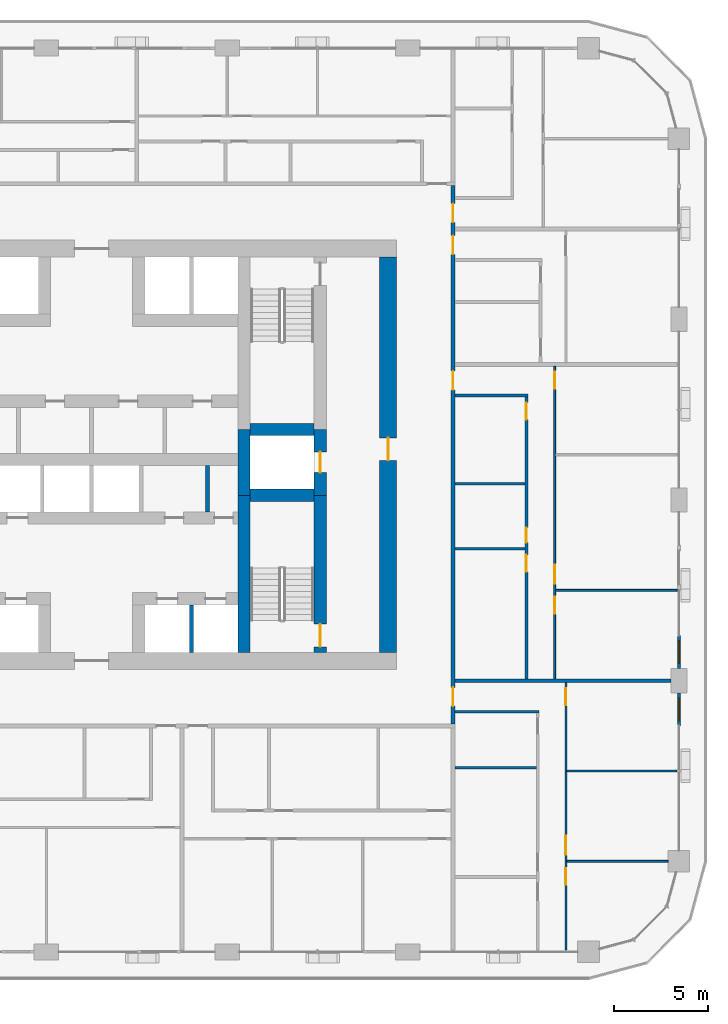
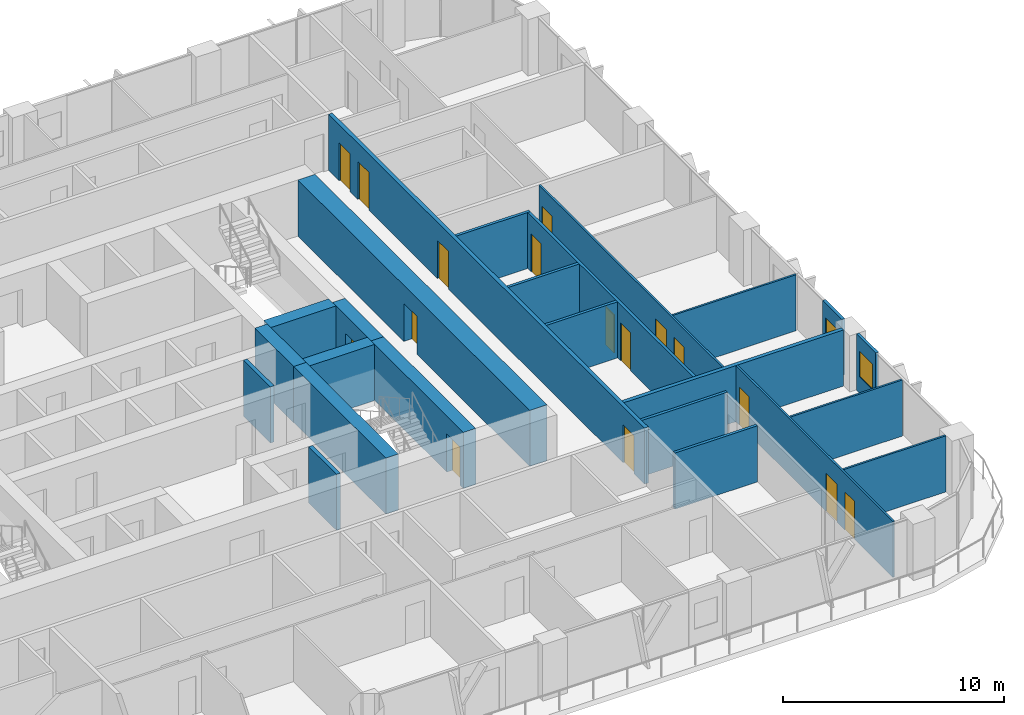
# One storey, part 12 of 21: 24 walls, 16 doors, 2 windows, 18 openings.
"""IFC4 building model written with IfcOpenShell, lengths in metres."""

from ifc_helpers import new_model, si_unit, direction, frame, frame_2d, origin, place, context, subcontext, project, spatial, rectangle, extrude, material, layer, layer_set, type_object, element, fill, save


model = new_model("IFC4")

# Units and contexts
model_context = context("Model", 3, precision=1e-05, world=origin(), true_north=direction((0.0, 1.0)))
body_context = subcontext(model_context, "Body", "Model", "MODEL_VIEW")
ifc_project = project(units=[si_unit("LENGTHUNIT", "METRE"), si_unit("AREAUNIT", "SQUARE_METRE"), si_unit("VOLUMEUNIT", "CUBIC_METRE"), si_unit("PLANEANGLEUNIT", "RADIAN"), si_unit("MASSUNIT", "GRAM", prefix="KILO")], contexts=[model_context])

# Site, building, storey
site_placement = place(None, origin())
site = spatial("IfcSite", under=ifc_project, at=site_placement, CompositionType="ELEMENT")
building_placement = place(site_placement, origin())
building = spatial("IfcBuilding", under=site, at=building_placement, Name="Madar Terraces", CompositionType="ELEMENT")
storey_placement = place(building_placement, frame((0.0, 0.0, 80.300048828125)))
storey = spatial("IfcBuildingStorey", under=building, at=storey_placement, Name="L20", CompositionType="ELEMENT", Elevation=80.300048828125)

# Walls
ifc_material_1 = material(Name="Concrete C80/95", Category="concrete")
ifc_layer_1 = layer(ifc_material_1, 0.64990234375)
ifc_layer_set_1 = layer_set([ifc_layer_1], Name="Concrete C80/95 (CIW2 RC wall 650)")
wall_type_1 = type_object("IfcWallType", Name="CIW2 RC wall 650", PredefinedType="SHEAR", material=ifc_layer_set_1)
wall_1_placement = place(storey_placement, frame((39.300048828125, 15.89990234375, 0.0), z_axis=(0.0, 0.0, 1.0), x_axis=(0.0, 1.0, 0.0)))
element("IfcWall", 1, at=wall_1_placement, inside=storey, type_object=wall_type_1, Name="CORE SHAFT WALL", PredefinedType="SHEAR", context=body_context, shape_type="SweptSolid", body=[
    extrude(rectangle(XDim=8.35009765625, YDim=0.64990234375, at=frame_2d((4.175048828125, 0.0))), origin(), (0.0, 0.0, 1.0), 3.099853515625),
])
wall_2_placement = place(storey_placement, frame((39.300048828125, 24.25, 0.0), z_axis=(0.0, 0.0, 1.0), x_axis=(0.0, 1.0, 0.0)))
element("IfcWall", 2, at=wall_2_placement, inside=storey, type_object=wall_type_1, Name="CORE SHAFT WALL", PredefinedType="SHEAR", context=body_context, shape_type="SweptSolid", body=[
    extrude(rectangle(XDim=3.5, YDim=0.64990234375, at=frame_2d((1.75, 0.0))), origin(), (0.0, 0.0, 1.0), 3.099853515625),
])

# Wall, opening, door
wall_3_placement = place(storey_placement, frame((43.35009765625, 15.89990234375, 0.0), z_axis=(0.0, 0.0, 1.0), x_axis=(0.0, 1.0, 0.0)))
wall_3 = element("IfcWall", 3, at=wall_3_placement, inside=storey, type_object=wall_type_1, Name="CORE SHAFT WALL", PredefinedType="SHEAR", context=body_context, shape_type="SweptSolid", body=[
    extrude(rectangle(XDim=8.35009765625, YDim=0.64990234375, at=frame_2d((4.175048828125, 0.0))), origin(), (0.0, 0.0, 1.0), 3.099853515625),
])
opening_1_placement = place(wall_3_placement, frame((0.300048828125, 0.0, 0.0)))
opening_1 = element("IfcOpeningElement", 4, at=opening_1_placement, cuts=wall_3, Name="Opening SD1", PredefinedType="OPENING", context=body_context, shape_type="SweptSolid", body=[
    extrude(rectangle(XDim=1.199951171875, YDim=2.10009765625, at=frame_2d((0.60009765625, 1.050048828125))), frame((0.0, 0.3349609375, 0.0), z_axis=(0.0, -1.0, 0.0), x_axis=(1.0, 0.0, 0.0)), (0.0, 0.0, 1.0), 0.669921875),
])
ifc_material_2 = material(Name="Steel door leaf", Category="steel")
door_type_1 = type_object("IfcDoorType", Name="Stair door 1200 x 2100", OperationType="NOTDEFINED", PredefinedType="DOOR", material=ifc_material_2)
door_1_placement = place(opening_1_placement, origin())
door_1 = element("IfcDoor", 5, at=door_1_placement, inside=storey, type_object=door_type_1, Name="STAIR DOOR", OperationType="SINGLE_SWING_LEFT", OverallHeight=2.10009765625, OverallWidth=1.199951171875, PredefinedType="DOOR", context=body_context, shape_type="SweptSolid", body=[
    extrude(rectangle(XDim=1.199951171875, YDim=2.10009765625, at=frame_2d((0.60009765625, 1.050048828125))), frame((0.0, 0.02490234375, 0.0), z_axis=(0.0, -1.0, 0.0), x_axis=(1.0, 0.0, 0.0)), (0.0, 0.0, 1.0), 0.050048828125),
])
fill(opening_1, door_1)

wall_4_placement = place(storey_placement, frame((43.35009765625, 24.25, 0.0), z_axis=(0.0, 0.0, 1.0), x_axis=(0.0, 1.0, 0.0)))
wall_4 = element("IfcWall", 6, at=wall_4_placement, inside=storey, type_object=wall_type_1, Name="CORE SHAFT WALL", PredefinedType="SHEAR", context=body_context, shape_type="SweptSolid", body=[
    extrude(rectangle(XDim=3.5, YDim=0.64990234375, at=frame_2d((1.75, 0.0))), origin(), (0.0, 0.0, 1.0), 3.099853515625),
])
opening_2_placement = place(wall_4_placement, frame((1.199951171875, 0.0, 0.0)))
opening_2 = element("IfcOpeningElement", 7, at=opening_2_placement, cuts=wall_4, Name="Opening LD", PredefinedType="OPENING", context=body_context, shape_type="SweptSolid", body=[
    extrude(rectangle(XDim=1.10009765625, YDim=2.10009765625, at=frame_2d((0.550048828125, 1.050048828125))), frame((0.0, 0.3349609375, 0.0), z_axis=(0.0, -1.0, 0.0), x_axis=(1.0, 0.0, 0.0)), (0.0, 0.0, 1.0), 0.669921875),
])
ifc_material_3 = material(Name="Stainless steel panel", Category="steel")
door_type_2 = type_object("IfcDoorType", Name="Lift landing door 1100 x 2100", OperationType="DOUBLE_DOOR_SLIDING", PredefinedType="DOOR", material=ifc_material_3)
door_2_placement = place(opening_2_placement, origin())
door_2 = element("IfcDoor", 8, at=door_2_placement, inside=storey, type_object=door_type_2, Name="LIFT LANDING DOOR", OperationType="DOUBLE_DOOR_SLIDING", OverallHeight=2.10009765625, OverallWidth=1.10009765625, PredefinedType="DOOR", context=body_context, shape_type="SweptSolid", body=[
    extrude(rectangle(XDim=1.10009765625, YDim=2.10009765625, at=frame_2d((0.550048828125, 1.050048828125))), frame((0.0, 0.02490234375, 0.0), z_axis=(0.0, -1.0, 0.0), x_axis=(1.0, 0.0, 0.0)), (0.0, 0.0, 1.0), 0.050048828125),
])
fill(opening_2, door_2)

# Walls
for number, where, z_axis, x_axis, name in (
    (9, (39.625, 24.25, 0.0), (0.0, 0.0, 1.0), (1.0, 0.0, 0.0), "CORE SHAFT WALL"),
    (10, (39.625, 27.75, 0.0), (0.0, 0.0, 1.0), (1.0, 0.0, 0.0), "CORE SHAFT WALL"),
):
    element("IfcWall", number, at=place(storey_placement, frame(where, z_axis=z_axis, x_axis=x_axis)), inside=storey, type_object=wall_type_1, Name=name, PredefinedType="SHEAR", context=body_context, shape_type="SweptSolid", body=[
        extrude(rectangle(XDim=3.39990234375, YDim=0.64990234375, at=frame_2d((1.699951171875, 0.0))), origin(), (0.0, 0.0, 1.0), 3.099853515625),
    ])

# Wall, opening, door
ifc_material_4 = material(Name="Concrete C80/95", Category="concrete")
ifc_layer_2 = layer(ifc_material_4, 0.89990234375)
ifc_layer_set_2 = layer_set([ifc_layer_2], Name="Concrete C80/95 (CRW2 RC wall 900)")
wall_type_2 = type_object("IfcWallType", Name="CRW2 RC wall 900", PredefinedType="SHEAR", material=ifc_layer_set_2)
wall_5_placement = place(storey_placement, frame((46.949951171875, 15.89990234375, 0.0), z_axis=(0.0, 0.0, 1.0), x_axis=(0.0, 1.0, 0.0)))
wall_5 = element("IfcWall", 11, at=wall_5_placement, inside=storey, type_object=wall_type_2, Name="CORE OUTER WALL", PredefinedType="SHEAR", context=body_context, shape_type="SweptSolid", body=[
    extrude(rectangle(XDim=21.0, YDim=0.89990234375, at=frame_2d((10.5, 0.0))), origin(), (0.0, 0.0, 1.0), 3.099853515625),
])
opening_3_placement = place(wall_5_placement, frame((10.199951171875, 0.0, 0.0)))
opening_3 = element("IfcOpeningElement", 12, at=opening_3_placement, cuts=wall_5, Name="Opening SD1", PredefinedType="OPENING", context=body_context, shape_type="SweptSolid", body=[
    extrude(rectangle(XDim=1.199951171875, YDim=2.10009765625, at=frame_2d((0.60009765625, 1.050048828125))), frame((0.0, 0.4599609375, 0.0), z_axis=(0.0, -1.0, 0.0), x_axis=(1.0, 0.0, 0.0)), (0.0, 0.0, 1.0), 0.919921875),
])
door_3_placement = place(opening_3_placement, origin())
door_3 = element("IfcDoor", 13, at=door_3_placement, inside=storey, type_object=door_type_1, Name="STAIR DOOR", OperationType="SINGLE_SWING_RIGHT", OverallHeight=2.10009765625, OverallWidth=1.199951171875, PredefinedType="DOOR", context=body_context, shape_type="SweptSolid", body=[
    extrude(rectangle(XDim=1.199951171875, YDim=2.10009765625, at=frame_2d((0.60009765625, 1.050048828125))), frame((0.0, 0.02490234375, 0.0), z_axis=(0.0, -1.0, 0.0), x_axis=(1.0, 0.0, 0.0)), (0.0, 0.0, 1.0), 0.050048828125),
])
fill(opening_3, door_3)

# Walls
ifc_material_5 = material(Name="Masonry blockwork", Category="masonry")
ifc_layer_3 = layer(ifc_material_5, 0.199951171875)
ifc_layer_set_3 = layer_set([ifc_layer_3], Name="Core partition 200 blockwork")
wall_type_3 = type_object("IfcWallType", Name="Core partition 200 blockwork", PredefinedType="PARTITIONING", material=ifc_layer_set_3)
wall_6_placement = place(storey_placement, frame((37.35888671875, 23.375, 0.0), z_axis=(0.0, 0.0, 1.0), x_axis=(0.0, 1.0, 0.0)))
element("IfcWall", 14, at=wall_6_placement, inside=storey, type_object=wall_type_3, Name="SERVICE ROOM PARTITION", PredefinedType="PARTITIONING", context=body_context, shape_type="SweptSolid", body=[
    extrude(rectangle(XDim=2.449951171875, YDim=0.199951171875, at=frame_2d((1.22509765625, 0.0))), origin(), (0.0, 0.0, 1.0), 3.099853515625),
])
ifc_material_6 = material(Name="Concrete C40/50", Category="concrete")
ifc_layer_4 = layer(ifc_material_6, 0.199951171875)
ifc_layer_set_4 = layer_set([ifc_layer_4], Name="Core shaft dividing wall 200 C40/50")
wall_type_4 = type_object("IfcWallType", Name="Core shaft dividing wall 200 C40/50", PredefinedType="SOLIDWALL", material=ifc_layer_set_4)
wall_7_placement = place(storey_placement, frame((36.5, 15.89990234375, 0.0), z_axis=(0.0, 0.0, 1.0), x_axis=(0.0, 1.0, 0.0)))
element("IfcWall", 15, at=wall_7_placement, inside=storey, type_object=wall_type_4, Name="SHAFT DIVIDING WALL", PredefinedType="SOLIDWALL", context=body_context, shape_type="SweptSolid", body=[
    extrude(rectangle(XDim=2.525146484375, YDim=0.199951171875, at=frame_2d((1.2626953125, 0.0))), origin(), (0.0, 0.0, 1.0), 3.099853515625),
])

# Wall, opening, window
ifc_material_7 = material(Name="Aluminium composite panel, black, over insulated backing", Category="aluminium")
ifc_layer_5 = layer(ifc_material_7, 0.14990234375)
ifc_layer_set_5 = layer_set([ifc_layer_5], Name="Facade bay panel 150")
wall_type_5 = type_object("IfcWallType", Name="Facade bay panel 150", PredefinedType="SOLIDWALL", material=ifc_layer_set_5)
wall_8_placement = place(storey_placement, frame((62.39990234375, 12.0, 0.0), z_axis=(0.0, 0.0, 1.0), x_axis=(0.0, 1.0, 0.0)))
wall_8 = element("IfcWall", 16, at=wall_8_placement, inside=storey, type_object=wall_type_5, Name="Facade bay panel", PredefinedType="SOLIDWALL", context=body_context, shape_type="SweptSolid", body=[
    extrude(rectangle(XDim=1.75, YDim=0.14990234375, at=frame_2d((0.875, 0.0))), origin(), (0.0, 0.0, 1.0), 3.099853515625),
])
opening_4_placement = place(wall_8_placement, frame((0.27490234375, 0.0, 0.89990234375)))
opening_4 = element("IfcOpeningElement", 17, at=opening_4_placement, cuts=wall_8, Name="Opening W1", PredefinedType="OPENING", context=body_context, shape_type="SweptSolid", body=[
    extrude(rectangle(XDim=1.199951171875, YDim=1.39990234375, at=frame_2d((0.60009765625, 0.699951171875))), frame((0.0, 0.0849609375, 0.0), z_axis=(0.0, -1.0, 0.0), x_axis=(1.0, 0.0, 0.0)), (0.0, 0.0, 1.0), 0.169921875),
])
ifc_material_8 = material(Name="Glass, clear, with black aluminium frame", Category="aluminium")
window_type = type_object("IfcWindowType", Name="Vent window 1200 x 1400", PartitioningType="SINGLE_PANEL", PredefinedType="WINDOW", material=ifc_material_8)
window_1_placement = place(opening_4_placement, origin())
window_1 = element("IfcWindow", 18, at=window_1_placement, inside=storey, type_object=window_type, Name="Operable vent window", OverallHeight=1.39990234375, OverallWidth=1.199951171875, PartitioningType="SINGLE_PANEL", PredefinedType="WINDOW", context=body_context, shape_type="SweptSolid", body=[
    extrude(rectangle(XDim=1.199951171875, YDim=1.39990234375, at=frame_2d((0.60009765625, 0.699951171875))), frame((0.0, 0.030029296875, 0.0), z_axis=(0.0, -1.0, 0.0), x_axis=(1.0, 0.0, 0.0)), (0.0, 0.0, 1.0), 0.06005859375),
])
fill(opening_4, window_1)

wall_9_placement = place(storey_placement, frame((62.39990234375, 15.050048828125, 0.0), z_axis=(0.0, 0.0, 1.0), x_axis=(0.0, 1.0, 0.0)))
wall_9 = element("IfcWall", 19, at=wall_9_placement, inside=storey, type_object=wall_type_5, Name="Facade bay panel", PredefinedType="SOLIDWALL", context=body_context, shape_type="SweptSolid", body=[
    extrude(rectangle(XDim=1.75, YDim=0.14990234375, at=frame_2d((0.875, 0.0))), origin(), (0.0, 0.0, 1.0), 3.099853515625),
])
opening_5_placement = place(wall_9_placement, frame((0.27490234375, 0.0, 0.89990234375)))
opening_5 = element("IfcOpeningElement", 20, at=opening_5_placement, cuts=wall_9, Name="Opening W1", PredefinedType="OPENING", context=body_context, shape_type="SweptSolid", body=[
    extrude(rectangle(XDim=1.199951171875, YDim=1.39990234375, at=frame_2d((0.60009765625, 0.699951171875))), frame((0.0, 0.0849609375, 0.0), z_axis=(0.0, -1.0, 0.0), x_axis=(1.0, 0.0, 0.0)), (0.0, 0.0, 1.0), 0.169921875),
])
window_2_placement = place(opening_5_placement, origin())
window_2 = element("IfcWindow", 21, at=window_2_placement, inside=storey, type_object=window_type, Name="Operable vent window", OverallHeight=1.39990234375, OverallWidth=1.199951171875, PartitioningType="SINGLE_PANEL", PredefinedType="WINDOW", context=body_context, shape_type="SweptSolid", body=[
    extrude(rectangle(XDim=1.199951171875, YDim=1.39990234375, at=frame_2d((0.60009765625, 0.699951171875))), frame((0.0, 0.030029296875, 0.0), z_axis=(0.0, -1.0, 0.0), x_axis=(1.0, 0.0, 0.0)), (0.0, 0.0, 1.0), 0.06005859375),
])
fill(opening_5, window_2)

# Walls
ifc_material_9 = material(Name="Gypsum board on steel studs", Category="steel")
ifc_layer_6 = layer(ifc_material_9, 0.10009765625)
ifc_layer_set_6 = layer_set([ifc_layer_6], Name="Flat partition 100")
wall_type_6 = type_object("IfcWallType", Name="Flat partition 100", PredefinedType="PARTITIONING", material=ifc_layer_set_6)
wall_10_placement = place(storey_placement, frame((56.449951171875, 9.60009765625, 0.0), z_axis=(0.0, 0.0, 1.0), x_axis=(1.0, 0.0, 0.0)))
element("IfcWall", 22, at=wall_10_placement, inside=storey, type_object=wall_type_6, Name="Flat partition 100", PredefinedType="PARTITIONING", context=body_context, shape_type="SweptSolid", body=[
    extrude(rectangle(XDim=5.85009765625, YDim=0.10009765625, at=frame_2d((2.925048828125, 0.0))), origin(), (0.0, 0.0, 1.0), 3.099853515625),
])
wall_11_placement = place(storey_placement, frame((56.449951171875, 4.800048828125, 0.0), z_axis=(0.0, 0.0, 1.0), x_axis=(1.0, 0.0, 0.0)))
element("IfcWall", 23, at=wall_11_placement, inside=storey, type_object=wall_type_6, Name="Flat partition 100", PredefinedType="PARTITIONING", context=body_context, shape_type="SweptSolid", body=[
    extrude(rectangle(XDim=5.375, YDim=0.10009765625, at=frame_2d((2.6875, 0.0))), origin(), (0.0, 0.0, 1.0), 3.099853515625),
])

# Wall, openings, doors
wall_12_placement = place(storey_placement, frame((56.39990234375, 14.300048828125, 0.0), z_axis=(0.0, 0.0, 1.0), x_axis=(0.0, -1.0, 0.0)))
wall_12 = element("IfcWall", 24, at=wall_12_placement, inside=storey, type_object=wall_type_6, Name="Flat partition 100", PredefinedType="PARTITIONING", context=body_context, shape_type="SweptSolid", body=[
    extrude(rectangle(XDim=14.199951171875, YDim=0.10009765625, at=frame_2d((7.10009765625, 0.0))), origin(), (0.0, 0.0, 1.0), 3.099853515625),
])
opening_6_placement = place(wall_12_placement, frame((0.300048828125, 0.0, 0.0)))
opening_6 = element("IfcOpeningElement", 25, at=opening_6_placement, cuts=wall_12, Name="Opening D2", PredefinedType="OPENING", context=body_context, shape_type="SweptSolid", body=[
    extrude(rectangle(XDim=0.89990234375, YDim=2.10009765625, at=frame_2d((0.449951171875, 1.050048828125))), frame((0.0, 0.06005859375, 0.0), z_axis=(0.0, -1.0, 0.0), x_axis=(1.0, 0.0, 0.0)), (0.0, 0.0, 1.0), 0.1201171875),
])
opening_7_placement = place(wall_12_placement, frame((8.14990234375, 0.0, 0.0)))
opening_7 = element("IfcOpeningElement", 26, at=opening_7_placement, cuts=wall_12, Name="Opening D3", PredefinedType="OPENING", context=body_context, shape_type="SweptSolid", body=[
    extrude(rectangle(XDim=1.0, YDim=2.10009765625, at=frame_2d((0.5, 1.050048828125))), frame((0.0, 0.06005859375, 0.0), z_axis=(0.0, -1.0, 0.0), x_axis=(1.0, 0.0, 0.0)), (0.0, 0.0, 1.0), 0.1201171875),
])
opening_8_placement = place(wall_12_placement, frame((9.85009765625, 0.0, 0.0)))
opening_8 = element("IfcOpeningElement", 27, at=opening_8_placement, cuts=wall_12, Name="Opening D2", PredefinedType="OPENING", context=body_context, shape_type="SweptSolid", body=[
    extrude(rectangle(XDim=0.89990234375, YDim=2.10009765625, at=frame_2d((0.449951171875, 1.050048828125))), frame((0.0, 0.06005859375, 0.0), z_axis=(0.0, -1.0, 0.0), x_axis=(1.0, 0.0, 0.0)), (0.0, 0.0, 1.0), 0.1201171875),
])
ifc_material_10 = material(Name="Timber door leaf", Category="wood")
door_type_3 = type_object("IfcDoorType", Name="Flat living room door 1000", OperationType="NOTDEFINED", PredefinedType="DOOR", material=ifc_material_10)
door_4_placement = place(opening_7_placement, origin())
door_4 = element("IfcDoor", 28, at=door_4_placement, inside=storey, type_object=door_type_3, Name="Flat living room door 1000", OperationType="SINGLE_SWING_RIGHT", OverallHeight=2.10009765625, OverallWidth=1.0, PredefinedType="DOOR", context=body_context, shape_type="SweptSolid", body=[
    extrude(rectangle(XDim=1.0, YDim=2.10009765625, at=frame_2d((0.5, 1.050048828125))), frame((0.0, 0.02490234375, 0.0), z_axis=(0.0, -1.0, 0.0), x_axis=(1.0, 0.0, 0.0)), (0.0, 0.0, 1.0), 0.050048828125),
])
fill(opening_7, door_4)
ifc_material_11 = material(Name="Timber door leaf", Category="wood")
door_type_4 = type_object("IfcDoorType", Name="Flat room door 900", OperationType="NOTDEFINED", PredefinedType="DOOR", material=ifc_material_11)
door_5_placement = place(opening_6_placement, origin())
door_5 = element("IfcDoor", 29, at=door_5_placement, inside=storey, type_object=door_type_4, Name="Flat room door 900", OperationType="SINGLE_SWING_LEFT", OverallHeight=2.10009765625, OverallWidth=0.89990234375, PredefinedType="DOOR", context=body_context, shape_type="SweptSolid", body=[
    extrude(rectangle(XDim=0.89990234375, YDim=2.10009765625, at=frame_2d((0.449951171875, 1.050048828125))), frame((0.0, 0.02490234375, 0.0), z_axis=(0.0, -1.0, 0.0), x_axis=(1.0, 0.0, 0.0)), (0.0, 0.0, 1.0), 0.050048828125),
])
fill(opening_6, door_5)
door_6_placement = place(opening_8_placement, origin())
door_6 = element("IfcDoor", 30, at=door_6_placement, inside=storey, type_object=door_type_4, Name="Flat room door 900", OperationType="SINGLE_SWING_LEFT", OverallHeight=2.10009765625, OverallWidth=0.89990234375, PredefinedType="DOOR", context=body_context, shape_type="SweptSolid", body=[
    extrude(rectangle(XDim=0.89990234375, YDim=2.10009765625, at=frame_2d((0.449951171875, 1.050048828125))), frame((0.0, 0.02490234375, 0.0), z_axis=(0.0, -1.0, 0.0), x_axis=(1.0, 0.0, 0.0)), (0.0, 0.0, 1.0), 0.050048828125),
])
fill(opening_8, door_6)

# Wall
wall_13_placement = place(storey_placement, frame((55.85009765625, 19.199951171875, 0.0), z_axis=(0.0, 0.0, 1.0), x_axis=(1.0, 0.0, 0.0)))
element("IfcWall", 31, at=wall_13_placement, inside=storey, type_object=wall_type_6, Name="Flat partition 100", PredefinedType="PARTITIONING", context=body_context, shape_type="SweptSolid", body=[
    extrude(rectangle(XDim=6.449951171875, YDim=0.10009765625, at=frame_2d((3.22509765625, 0.0))), origin(), (0.0, 0.0, 1.0), 3.099853515625),
])

# Wall, openings, doors
wall_14_placement = place(storey_placement, frame((55.800048828125, 31.10009765625, 0.0), z_axis=(0.0, 0.0, 1.0), x_axis=(0.0, -1.0, 0.0)))
wall_14 = element("IfcWall", 32, at=wall_14_placement, inside=storey, type_object=wall_type_6, Name="Flat partition 100", PredefinedType="PARTITIONING", context=body_context, shape_type="SweptSolid", body=[
    extrude(rectangle(XDim=16.60009765625, YDim=0.10009765625, at=frame_2d((8.300048828125, 0.0))), origin(), (0.0, 0.0, 1.0), 3.099853515625),
])
opening_9_placement = place(wall_14_placement, frame((0.300048828125, 0.0, 0.0)))
opening_9 = element("IfcOpeningElement", 33, at=opening_9_placement, cuts=wall_14, Name="Opening D2", PredefinedType="OPENING", context=body_context, shape_type="SweptSolid", body=[
    extrude(rectangle(XDim=0.89990234375, YDim=2.10009765625, at=frame_2d((0.449951171875, 1.050048828125))), frame((0.0, 0.06005859375, 0.0), z_axis=(0.0, -1.0, 0.0), x_axis=(1.0, 0.0, 0.0)), (0.0, 0.0, 1.0), 0.1201171875),
])
opening_10_placement = place(wall_14_placement, frame((10.550048828125, 0.0, 0.0)))
opening_10 = element("IfcOpeningElement", 34, at=opening_10_placement, cuts=wall_14, Name="Opening D3", PredefinedType="OPENING", context=body_context, shape_type="SweptSolid", body=[
    extrude(rectangle(XDim=1.0, YDim=2.10009765625, at=frame_2d((0.5, 1.050048828125))), frame((0.0, 0.06005859375, 0.0), z_axis=(0.0, -1.0, 0.0), x_axis=(1.0, 0.0, 0.0)), (0.0, 0.0, 1.0), 0.1201171875),
])
opening_11_placement = place(wall_14_placement, frame((12.25, 0.0, 0.0)))
opening_11 = element("IfcOpeningElement", 35, at=opening_11_placement, cuts=wall_14, Name="Opening D2", PredefinedType="OPENING", context=body_context, shape_type="SweptSolid", body=[
    extrude(rectangle(XDim=0.89990234375, YDim=2.10009765625, at=frame_2d((0.449951171875, 1.050048828125))), frame((0.0, 0.06005859375, 0.0), z_axis=(0.0, -1.0, 0.0), x_axis=(1.0, 0.0, 0.0)), (0.0, 0.0, 1.0), 0.1201171875),
])
door_7_placement = place(opening_10_placement, origin())
door_7 = element("IfcDoor", 36, at=door_7_placement, inside=storey, type_object=door_type_3, Name="Flat living room door 1000", OperationType="SINGLE_SWING_RIGHT", OverallHeight=2.10009765625, OverallWidth=1.0, PredefinedType="DOOR", context=body_context, shape_type="SweptSolid", body=[
    extrude(rectangle(XDim=1.0, YDim=2.10009765625, at=frame_2d((0.5, 1.050048828125))), frame((0.0, 0.02490234375, 0.0), z_axis=(0.0, -1.0, 0.0), x_axis=(1.0, 0.0, 0.0)), (0.0, 0.0, 1.0), 0.050048828125),
])
fill(opening_10, door_7)
door_8_placement = place(opening_9_placement, origin())
door_8 = element("IfcDoor", 37, at=door_8_placement, inside=storey, type_object=door_type_4, Name="Flat room door 900", OperationType="SINGLE_SWING_LEFT", OverallHeight=2.10009765625, OverallWidth=0.89990234375, PredefinedType="DOOR", context=body_context, shape_type="SweptSolid", body=[
    extrude(rectangle(XDim=0.89990234375, YDim=2.10009765625, at=frame_2d((0.449951171875, 1.050048828125))), frame((0.0, 0.02490234375, 0.0), z_axis=(0.0, -1.0, 0.0), x_axis=(1.0, 0.0, 0.0)), (0.0, 0.0, 1.0), 0.050048828125),
])
fill(opening_9, door_8)
door_9_placement = place(opening_11_placement, origin())
door_9 = element("IfcDoor", 38, at=door_9_placement, inside=storey, type_object=door_type_4, Name="Flat room door 900", OperationType="SINGLE_SWING_LEFT", OverallHeight=2.10009765625, OverallWidth=0.89990234375, PredefinedType="DOOR", context=body_context, shape_type="SweptSolid", body=[
    extrude(rectangle(XDim=0.89990234375, YDim=2.10009765625, at=frame_2d((0.449951171875, 1.050048828125))), frame((0.0, 0.02490234375, 0.0), z_axis=(0.0, -1.0, 0.0), x_axis=(1.0, 0.0, 0.0)), (0.0, 0.0, 1.0), 0.050048828125),
])
fill(opening_11, door_9)

ifc_material_12 = material(Name="Lightweight blockwork", Category="masonry")
ifc_layer_7 = layer(ifc_material_12, 0.199951171875)
ifc_layer_set_7 = layer_set([ifc_layer_7], Name="Flat party and entrance wall 200")
wall_type_7 = type_object("IfcWallType", Name="Flat party and entrance wall 200", PredefinedType="PARTITIONING", material=ifc_layer_set_7)
wall_15_placement = place(storey_placement, frame((50.39990234375, 40.699951171875, 0.0), z_axis=(0.0, 0.0, 1.0), x_axis=(0.0, -1.0, 0.0)))
wall_15 = element("IfcWall", 39, at=wall_15_placement, inside=storey, type_object=wall_type_7, Name="Flat party and entrance wall 200", PredefinedType="PARTITIONING", context=body_context, shape_type="SweptSolid", body=[
    extrude(rectangle(XDim=28.599853515625, YDim=0.199951171875, at=frame_2d((14.2998046875, 0.0))), origin(), (0.0, 0.0, 1.0), 3.099853515625),
])
opening_12_placement = place(wall_15_placement, frame((26.64990234375, 0.0, 0.0)))
opening_12 = element("IfcOpeningElement", 40, at=opening_12_placement, cuts=wall_15, Name="Opening D1", PredefinedType="OPENING", context=body_context, shape_type="SweptSolid", body=[
    extrude(rectangle(XDim=1.0, YDim=2.10009765625, at=frame_2d((0.5, 1.050048828125))), frame((0.0, 0.10986328125, 0.0), z_axis=(0.0, -1.0, 0.0), x_axis=(1.0, 0.0, 0.0)), (0.0, 0.0, 1.0), 0.219970703125),
])
opening_13_placement = place(wall_15_placement, frame((9.85009765625, 0.0, 0.0)))
opening_13 = element("IfcOpeningElement", 41, at=opening_13_placement, cuts=wall_15, Name="Opening D1", PredefinedType="OPENING", context=body_context, shape_type="SweptSolid", body=[
    extrude(rectangle(XDim=1.0, YDim=2.10009765625, at=frame_2d((0.5, 1.050048828125))), frame((0.0, 0.10986328125, 0.0), z_axis=(0.0, -1.0, 0.0), x_axis=(1.0, 0.0, 0.0)), (0.0, 0.0, 1.0), 0.219970703125),
])
opening_14_placement = place(wall_15_placement, frame((2.64990234375, 0.0, 0.0)))
opening_14 = element("IfcOpeningElement", 42, at=opening_14_placement, cuts=wall_15, Name="Opening D1", PredefinedType="OPENING", context=body_context, shape_type="SweptSolid", body=[
    extrude(rectangle(XDim=1.0, YDim=2.10009765625, at=frame_2d((0.5, 1.050048828125))), frame((0.0, 0.10986328125, 0.0), z_axis=(0.0, -1.0, 0.0), x_axis=(1.0, 0.0, 0.0)), (0.0, 0.0, 1.0), 0.219970703125),
])
opening_15_placement = place(wall_15_placement, frame((0.949951171875, 0.0, 0.0)))
opening_15 = element("IfcOpeningElement", 43, at=opening_15_placement, cuts=wall_15, Name="Opening D1", PredefinedType="OPENING", context=body_context, shape_type="SweptSolid", body=[
    extrude(rectangle(XDim=1.0, YDim=2.10009765625, at=frame_2d((0.5, 1.050048828125))), frame((0.0, 0.10986328125, 0.0), z_axis=(0.0, -1.0, 0.0), x_axis=(1.0, 0.0, 0.0)), (0.0, 0.0, 1.0), 0.219970703125),
])
ifc_material_13 = material(Name="Timber fire door leaf", Category="wood")
door_type_5 = type_object("IfcDoorType", Name="Flat entrance door 1000 FD30S", OperationType="NOTDEFINED", PredefinedType="DOOR", material=ifc_material_13)
door_10_placement = place(opening_12_placement, origin())
door_10 = element("IfcDoor", 44, at=door_10_placement, inside=storey, type_object=door_type_5, Name="Flat entrance door 1000 FD30S", OperationType="SINGLE_SWING_LEFT", OverallHeight=2.10009765625, OverallWidth=1.0, PredefinedType="DOOR", context=body_context, shape_type="SweptSolid", body=[
    extrude(rectangle(XDim=1.0, YDim=2.10009765625, at=frame_2d((0.5, 1.050048828125))), frame((0.0, 0.02490234375, 0.0), z_axis=(0.0, -1.0, 0.0), x_axis=(1.0, 0.0, 0.0)), (0.0, 0.0, 1.0), 0.050048828125),
])
fill(opening_12, door_10)
door_11_placement = place(opening_13_placement, origin())
door_11 = element("IfcDoor", 45, at=door_11_placement, inside=storey, type_object=door_type_5, Name="Flat entrance door 1000 FD30S", OperationType="SINGLE_SWING_LEFT", OverallHeight=2.10009765625, OverallWidth=1.0, PredefinedType="DOOR", context=body_context, shape_type="SweptSolid", body=[
    extrude(rectangle(XDim=1.0, YDim=2.10009765625, at=frame_2d((0.5, 1.050048828125))), frame((0.0, 0.02490234375, 0.0), z_axis=(0.0, -1.0, 0.0), x_axis=(1.0, 0.0, 0.0)), (0.0, 0.0, 1.0), 0.050048828125),
])
fill(opening_13, door_11)
door_12_placement = place(opening_14_placement, origin())
door_12 = element("IfcDoor", 46, at=door_12_placement, inside=storey, type_object=door_type_5, Name="Flat entrance door 1000 FD30S", OperationType="SINGLE_SWING_LEFT", OverallHeight=2.10009765625, OverallWidth=1.0, PredefinedType="DOOR", context=body_context, shape_type="SweptSolid", body=[
    extrude(rectangle(XDim=1.0, YDim=2.10009765625, at=frame_2d((0.5, 1.050048828125))), frame((0.0, 0.02490234375, 0.0), z_axis=(0.0, -1.0, 0.0), x_axis=(1.0, 0.0, 0.0)), (0.0, 0.0, 1.0), 0.050048828125),
])
fill(opening_14, door_12)
door_13_placement = place(opening_15_placement, origin())
door_13 = element("IfcDoor", 47, at=door_13_placement, inside=storey, type_object=door_type_5, Name="Flat entrance door 1000 FD30S", OperationType="SINGLE_SWING_RIGHT", OverallHeight=2.10009765625, OverallWidth=1.0, PredefinedType="DOOR", context=body_context, shape_type="SweptSolid", body=[
    extrude(rectangle(XDim=1.0, YDim=2.10009765625, at=frame_2d((0.5, 1.050048828125))), frame((0.0, 0.02490234375, 0.0), z_axis=(0.0, -1.0, 0.0), x_axis=(1.0, 0.0, 0.0)), (0.0, 0.0, 1.0), 0.050048828125),
])
fill(opening_15, door_13)

# Walls
wall_16_placement = place(storey_placement, frame((50.5, 14.39990234375, 0.0), z_axis=(0.0, 0.0, 1.0), x_axis=(1.0, 0.0, 0.0)))
element("IfcWall", 48, at=wall_16_placement, inside=storey, type_object=wall_type_7, Name="Flat party and entrance wall 200", PredefinedType="PARTITIONING", context=body_context, shape_type="SweptSolid", body=[
    extrude(rectangle(XDim=11.47509765625, YDim=0.199951171875, at=frame_2d((5.737548828125, 0.0))), origin(), (0.0, 0.0, 1.0), 3.099853515625),
])
ifc_material_14 = material(Name="Lightweight blockwork", Category="masonry")
ifc_layer_8 = layer(ifc_material_14, 0.14990234375)
ifc_layer_set_8 = layer_set([ifc_layer_8], Name="Flat wet-room partition 150")
wall_type_8 = type_object("IfcWallType", Name="Flat wet-room partition 150", PredefinedType="PARTITIONING", material=ifc_layer_set_8)
wall_17_placement = place(storey_placement, frame((50.5, 9.773193359375, 0.0), z_axis=(0.0, 0.0, 1.0), x_axis=(1.0, 0.0, 0.0)))
element("IfcWall", 49, at=wall_17_placement, inside=storey, type_object=wall_type_8, Name="Flat wet-room partition 150", PredefinedType="PARTITIONING", context=body_context, shape_type="SweptSolid", body=[
    extrude(rectangle(XDim=4.324951171875, YDim=0.14990234375, at=frame_2d((2.16259765625, 0.0))), origin(), (0.0, 0.0, 1.0), 3.099853515625),
])
wall_18_placement = place(storey_placement, frame((50.5, 12.75, 0.0), z_axis=(0.0, 0.0, 1.0), x_axis=(1.0, 0.0, 0.0)))
element("IfcWall", 50, at=wall_18_placement, inside=storey, type_object=wall_type_8, Name="Flat wet-room partition 150", PredefinedType="PARTITIONING", context=body_context, shape_type="SweptSolid", body=[
    extrude(rectangle(XDim=4.47509765625, YDim=0.14990234375, at=frame_2d((2.237548828125, 0.0))), origin(), (0.0, 0.0, 1.0), 3.099853515625),
])
for number, where, z_axis, x_axis, name in (
    (51, (50.5, 24.8671875, 0.0), (0.0, 0.0, 1.0), (1.0, 0.0, 0.0), "Flat wet-room partition 150"),
    (52, (50.5, 21.41162109375, 0.0), (0.0, 0.0, 1.0), (1.0, 0.0, 0.0), "Flat wet-room partition 150"),
):
    element("IfcWall", number, at=place(storey_placement, frame(where, z_axis=z_axis, x_axis=x_axis)), inside=storey, type_object=wall_type_8, Name=name, PredefinedType="PARTITIONING", context=body_context, shape_type="SweptSolid", body=[
        extrude(rectangle(XDim=3.72509765625, YDim=0.14990234375, at=frame_2d((1.862548828125, 0.0))), origin(), (0.0, 0.0, 1.0), 3.099853515625),
    ])
wall_19_placement = place(storey_placement, frame((50.5, 29.550048828125, 0.0), z_axis=(0.0, 0.0, 1.0), x_axis=(1.0, 0.0, 0.0)))
element("IfcWall", 53, at=wall_19_placement, inside=storey, type_object=wall_type_8, Name="Flat wet-room partition 150", PredefinedType="PARTITIONING", context=body_context, shape_type="SweptSolid", body=[
    extrude(rectangle(XDim=3.875, YDim=0.14990234375, at=frame_2d((1.9375, 0.0))), origin(), (0.0, 0.0, 1.0), 3.099853515625),
])

# Wall, openings, doors
wall_20_placement = place(storey_placement, frame((54.300048828125, 14.5, 0.0), z_axis=(0.0, 0.0, 1.0), x_axis=(0.0, 1.0, 0.0)))
wall_20 = element("IfcWall", 54, at=wall_20_placement, inside=storey, type_object=wall_type_8, Name="Flat wet-room partition 150", PredefinedType="PARTITIONING", context=body_context, shape_type="SweptSolid", body=[
    extrude(rectangle(XDim=14.97509765625, YDim=0.14990234375, at=frame_2d((7.487548828125, 0.0))), origin(), (0.0, 0.0, 1.0), 3.099853515625),
])
opening_16_placement = place(wall_20_placement, frame((13.77490234375, 0.0, 0.0)))
opening_16 = element("IfcOpeningElement", 55, at=opening_16_placement, cuts=wall_20, Name="Opening D5", PredefinedType="OPENING", context=body_context, shape_type="SweptSolid", body=[
    extrude(rectangle(XDim=0.89990234375, YDim=2.10009765625, at=frame_2d((0.449951171875, 1.050048828125))), frame((0.0, 0.0849609375, 0.0), z_axis=(0.0, -1.0, 0.0), x_axis=(1.0, 0.0, 0.0)), (0.0, 0.0, 1.0), 0.169921875),
])
opening_17_placement = place(wall_20_placement, frame((7.236572265625, 0.0, 0.0)))
opening_17 = element("IfcOpeningElement", 56, at=opening_17_placement, cuts=wall_20, Name="Opening D4", PredefinedType="OPENING", context=body_context, shape_type="SweptSolid", body=[
    extrude(rectangle(XDim=0.800048828125, YDim=2.10009765625, at=frame_2d((0.39990234375, 1.050048828125))), frame((0.0, 0.0849609375, 0.0), z_axis=(0.0, -1.0, 0.0), x_axis=(1.0, 0.0, 0.0)), (0.0, 0.0, 1.0), 0.169921875),
])
opening_18_placement = place(wall_20_placement, frame((5.6865234375, 0.0, 0.0)))
opening_18 = element("IfcOpeningElement", 57, at=opening_18_placement, cuts=wall_20, Name="Opening D2", PredefinedType="OPENING", context=body_context, shape_type="SweptSolid", body=[
    extrude(rectangle(XDim=0.89990234375, YDim=2.10009765625, at=frame_2d((0.449951171875, 1.050048828125))), frame((0.0, 0.0849609375, 0.0), z_axis=(0.0, -1.0, 0.0), x_axis=(1.0, 0.0, 0.0)), (0.0, 0.0, 1.0), 0.169921875),
])
ifc_material_15 = material(Name="Timber door leaf", Category="wood")
door_type_6 = type_object("IfcDoorType", Name="Flat accessible bathroom door 900", OperationType="NOTDEFINED", PredefinedType="DOOR", material=ifc_material_15)
door_14_placement = place(opening_16_placement, origin())
door_14 = element("IfcDoor", 58, at=door_14_placement, inside=storey, type_object=door_type_6, Name="Flat accessible bathroom door 900", OperationType="SINGLE_SWING_RIGHT", OverallHeight=2.10009765625, OverallWidth=0.89990234375, PredefinedType="DOOR", context=body_context, shape_type="SweptSolid", body=[
    extrude(rectangle(XDim=0.89990234375, YDim=2.10009765625, at=frame_2d((0.449951171875, 1.050048828125))), frame((0.0, 0.02490234375, 0.0), z_axis=(0.0, -1.0, 0.0), x_axis=(1.0, 0.0, 0.0)), (0.0, 0.0, 1.0), 0.050048828125),
])
fill(opening_16, door_14)
ifc_material_16 = material(Name="Timber door leaf", Category="wood")
door_type_7 = type_object("IfcDoorType", Name="Flat bathroom door 800", OperationType="NOTDEFINED", PredefinedType="DOOR", material=ifc_material_16)
door_15_placement = place(opening_17_placement, origin())
door_15 = element("IfcDoor", 59, at=door_15_placement, inside=storey, type_object=door_type_7, Name="Flat bathroom door 800", OperationType="SINGLE_SWING_LEFT", OverallHeight=2.10009765625, OverallWidth=0.800048828125, PredefinedType="DOOR", context=body_context, shape_type="SweptSolid", body=[
    extrude(rectangle(XDim=0.800048828125, YDim=2.10009765625, at=frame_2d((0.39990234375, 1.050048828125))), frame((0.0, 0.02490234375, 0.0), z_axis=(0.0, -1.0, 0.0), x_axis=(1.0, 0.0, 0.0)), (0.0, 0.0, 1.0), 0.050048828125),
])
fill(opening_17, door_15)
door_16_placement = place(opening_18_placement, origin())
door_16 = element("IfcDoor", 60, at=door_16_placement, inside=storey, type_object=door_type_4, Name="Flat room door 900", OperationType="SINGLE_SWING_RIGHT", OverallHeight=2.10009765625, OverallWidth=0.89990234375, PredefinedType="DOOR", context=body_context, shape_type="SweptSolid", body=[
    extrude(rectangle(XDim=0.89990234375, YDim=2.10009765625, at=frame_2d((0.449951171875, 1.050048828125))), frame((0.0, 0.02490234375, 0.0), z_axis=(0.0, -1.0, 0.0), x_axis=(1.0, 0.0, 0.0)), (0.0, 0.0, 1.0), 0.050048828125),
])
fill(opening_18, door_16)

save(model, "model.ifc")
